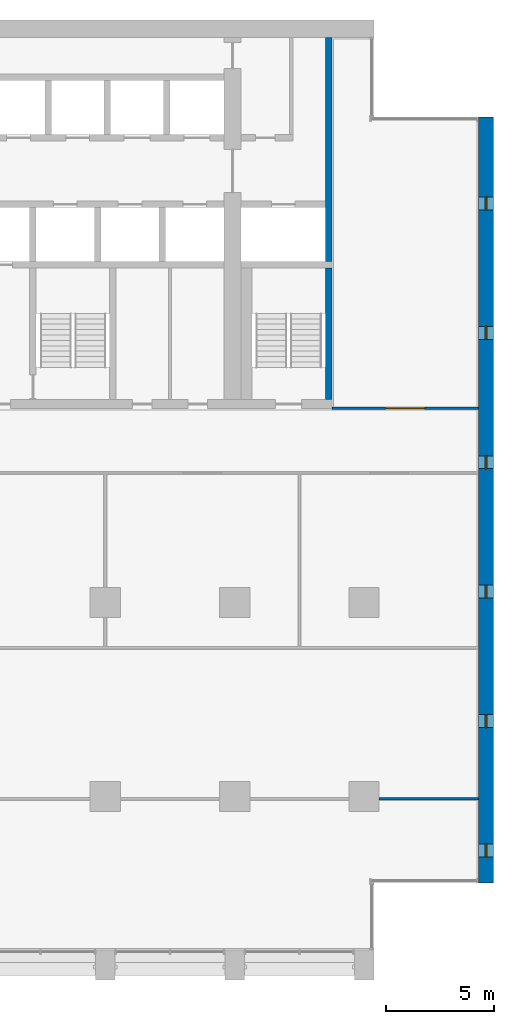
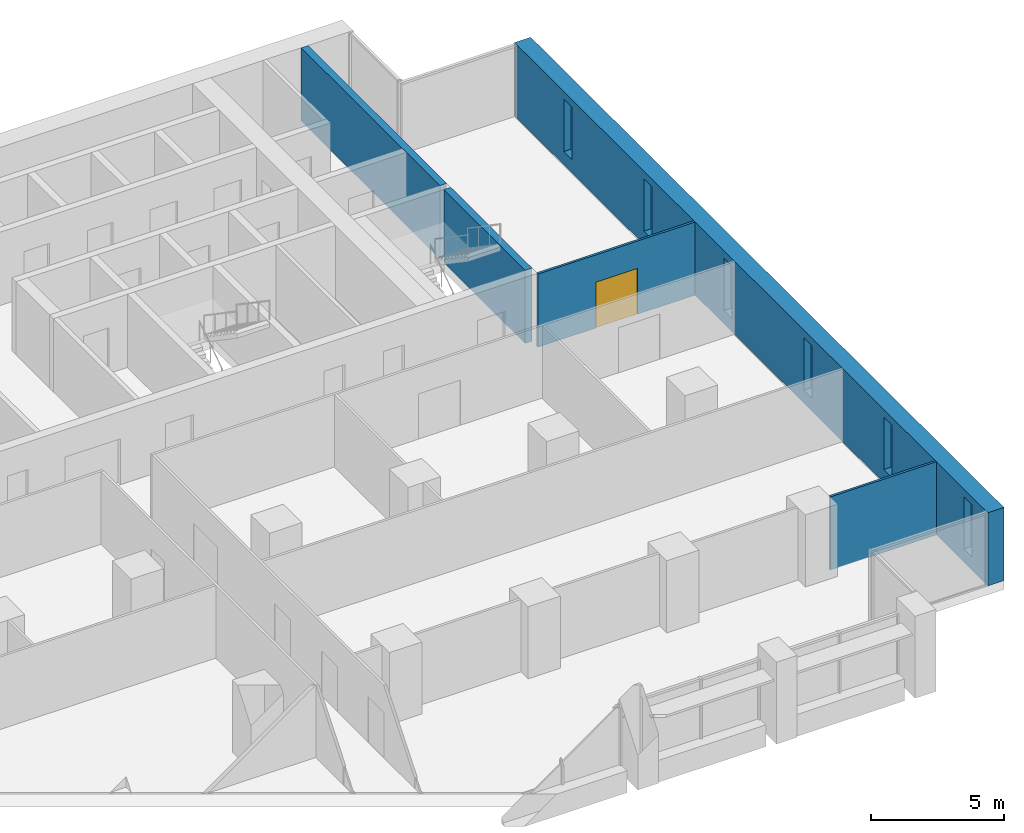
# One storey, part 12 of 17: 6 windows, 5 walls, 1 door, 7 openings.
"""IFC4 building model written with IfcOpenShell, lengths in metres."""

import ifcopenshell
import ifcopenshell.guid

model = None  # the IFC model being written
_history = None  # IfcOwnerHistory: only IFC2X3 demands one
_inside = {}  # id of a spatial element -> (the spatial element, [elements in it])
_under = {}  # id of a project, library or spatial element -> (it, [spatial elements below it])
_declared = {}  # id of a project -> (the project, [libraries it declares])
_typed = {}  # id of a type object -> (the type object, [elements of that type])
_made_of = {}  # id of a material, layer set ... -> (it, [elements and type objects made of it])


def new_model(schema):
    """Start an empty IFC model of exactly this schema.

    Asked for "IFC4X3", IfcOpenShell would pick the latest addendum, in which some entities
    have other attributes; the version numbers below select the first issue.
    IFC2X3 requires an IfcOwnerHistory on every rooted entity: one is made here for all.
    """
    global model, _history
    if schema == "IFC4X3":
        model = ifcopenshell.file(schema_version=(4, 3, 0, 0))
    else:
        model = ifcopenshell.file(schema=schema)
    _inside.clear()
    _under.clear()
    _declared.clear()
    _typed.clear()
    _made_of.clear()
    _history = None
    if model.schema == "IFC2X3":
        org = make("IfcOrganization", Name="unknown")
        user = make(
            "IfcPersonAndOrganization",
            ThePerson=make("IfcPerson", FamilyName="unknown"),
            TheOrganization=org,
        )
        app = make(
            "IfcApplication",
            ApplicationDeveloper=org,
            Version="unknown",
            ApplicationFullName="unknown",
            ApplicationIdentifier="unknown",
        )
        _history = make(
            "IfcOwnerHistory",
            OwningUser=user,
            OwningApplication=app,
            ChangeAction="ADDED",
            CreationDate=0,
        )
    return model


def make(cls, **values):
    """One entity of the class cls with the attributes given. An attribute that is None is left unset."""
    return model.create_entity(
        cls, **{name: value for name, value in values.items() if value is not None}
    )


def rooted(cls, **values):
    """An entity with a GlobalId (a new one), such as an element, a storey or a relation."""
    return make(cls, GlobalId=ifcopenshell.guid.new(), OwnerHistory=_history, **values)


def si_unit(unit_type, name, prefix=None):
    """IfcSIUnit, for example si_unit("LENGTHUNIT", "METRE", prefix="MILLI")."""
    return make("IfcSIUnit", UnitType=unit_type, Prefix=prefix, Name=name)


def assignment(units):
    """IfcUnitAssignment: the units of a project."""
    return None if units is None else make("IfcUnitAssignment", Units=units)


def point(xyz):
    """IfcCartesianPoint."""
    return None if xyz is None else make("IfcCartesianPoint", Coordinates=xyz)


def direction(xyz):
    """IfcDirection."""
    return None if xyz is None else make("IfcDirection", DirectionRatios=xyz)


def frame(location, z_axis=None, x_axis=None):
    """IfcAxis2Placement3D, a coordinate frame: its origin and axes. An axis left out is left unset."""
    return make(
        "IfcAxis2Placement3D",
        Location=point(location),
        Axis=direction(z_axis),
        RefDirection=direction(x_axis),
    )


def frame_2d(location, x_axis=None):
    """IfcAxis2Placement2D, a coordinate frame in the plane: its origin and x axis."""
    return make(
        "IfcAxis2Placement2D", Location=point(location), RefDirection=direction(x_axis)
    )


def origin():
    """The frame at (0, 0, 0) with its axes left unset."""
    return frame((0.0, 0.0, 0.0))


def place(relative_to, where):
    """IfcLocalPlacement: puts the frame where relative to a parent placement (None: the world)."""
    return make(
        "IfcLocalPlacement", PlacementRelTo=relative_to, RelativePlacement=where
    )


def context(
    kind, dimensions, precision=None, world=None, true_north=None, identifier=None
):
    """IfcGeometricRepresentationContext, for example the 3D "Model" context."""
    return make(
        "IfcGeometricRepresentationContext",
        ContextIdentifier=identifier,
        ContextType=kind,
        CoordinateSpaceDimension=dimensions,
        Precision=precision,
        WorldCoordinateSystem=world,
        TrueNorth=true_north,
    )


def subcontext(parent, identifier, kind, view, scale=None):
    """IfcGeometricRepresentationSubContext, for example "Body" below "Model"."""
    return make(
        "IfcGeometricRepresentationSubContext",
        ContextIdentifier=identifier,
        ContextType=kind,
        ParentContext=parent,
        TargetScale=scale,
        TargetView=view,
    )


def project(units=None, contexts=None):
    """IfcProject with its units and contexts."""
    return rooted(
        "IfcProject",
        Name="project",
        RepresentationContexts=contexts,
        UnitsInContext=assignment(units),
    )


def spatial(cls, under=None, at=None, **own):
    """A site, building, storey or space (cls), placed at a placement, below another one or the project."""
    s = rooted(cls, ObjectPlacement=at, **own)
    if under is not None:
        _under.setdefault(under.id(), (under, []))[1].append(s)
    return s


def profile(cls, at=None, kind="AREA", **sizes):
    """A parametric profile (cls). Its sizes go by their IFC names, for example OverallWidth=200.0."""
    return make(cls, ProfileType=kind, Position=at, **sizes)


def rectangle(**sizes):
    """IfcRectangleProfileDef."""
    return profile("IfcRectangleProfileDef", **sizes)


def extrude(swept, where, along, depth):
    """IfcExtrudedAreaSolid: the profile swept, set in the frame where, extruded along a direction by depth."""
    return make(
        "IfcExtrudedAreaSolid",
        SweptArea=swept,
        Position=where,
        ExtrudedDirection=direction(along),
        Depth=depth,
    )


def shape(context_of_items, identifier, shape_type, items):
    """IfcShapeRepresentation: the items that make up one representation, for example the "Body"."""
    return make(
        "IfcShapeRepresentation",
        ContextOfItems=context_of_items,
        RepresentationIdentifier=identifier,
        RepresentationType=shape_type,
        Items=items,
    )


def material(Name=None, Category=None):
    """IfcMaterial."""
    return make("IfcMaterial", Name=Name, Category=Category)


def layer(
    of_material, thickness, ventilated=None, Name=None, Category=None, Priority=None
):
    """IfcMaterialLayer: one layer of a wall or slab, of a material (None: an air gap)."""
    return make(
        "IfcMaterialLayer",
        Material=of_material,
        LayerThickness=thickness,
        IsVentilated=ventilated,
        Name=Name,
        Category=Category,
        Priority=Priority,
    )


def layer_set(layers, Name=None):
    """IfcMaterialLayerSet."""
    return make("IfcMaterialLayerSet", MaterialLayers=layers, LayerSetName=Name)


def made_of(thing, what):
    """Note that an element or type object is made of a material, layer set ...; save() writes the relation."""
    if what is not None:
        _made_of.setdefault(what.id(), (what, []))[1].append(thing)
    return thing


def type_object(cls, material=None, **own):
    """A type object (cls), such as IfcWallType, which elements share."""
    return made_of(rooted(cls, **own), material)


def element(
    cls,
    number,
    at=None,
    inside=None,
    cuts=None,
    type_object=None,
    material=None,
    context=None,
    identifier="Body",
    shape_type=None,
    held_by="IfcProductDefinitionShape",
    body=None,
    shapes=None,
    **own,
):
    """One element of the class cls, such as IfcWall. Its Tag is "e" and its number.

    at: its placement. inside: the storey or other place that contains it. cuts: it is an
    opening in that element (IfcRelVoidsElement). A single representation is given by context,
    identifier, shape_type and body (its items); several are given by shapes. held_by: the class
    of the entity that holds the representations. save() writes the other relations.
    """
    e = rooted(cls, Tag="e%d" % number, ObjectPlacement=at, **own)
    if body is not None:
        shapes = [shape(context, identifier, shape_type, body)]
    if shapes is not None:
        e.Representation = make(held_by, Representations=shapes)
    if inside is not None:
        _inside.setdefault(inside.id(), (inside, []))[1].append(e)
    if cuts is not None:
        rooted(
            "IfcRelVoidsElement", RelatingBuildingElement=cuts, RelatedOpeningElement=e
        )
    if type_object is not None:
        _typed.setdefault(type_object.id(), (type_object, []))[1].append(e)
    return made_of(e, material)


def fill(opening, filler):
    """IfcRelFillsElement: the door or window that sits in an opening."""
    return rooted(
        "IfcRelFillsElement",
        RelatingOpeningElement=opening,
        RelatedBuildingElement=filler,
    )


def aggregate(whole, parts):
    """IfcRelAggregates: a whole, such as a stair, and the parts it consists of."""
    return rooted("IfcRelAggregates", RelatingObject=whole, RelatedObjects=parts)


def save(model, path):
    """Write the relations noted so far, then the file.

    IfcRelAggregates (storeys below a building ...), IfcRelContainedInSpatialStructure (elements
    in a storey), IfcRelDefinesByType, IfcRelAssociatesMaterial and IfcRelDeclares: one each for
    every whole, place, type object, material and project.
    """
    for whole, parts in _under.values():
        aggregate(whole, parts)
    for where, things in _inside.values():
        rooted(
            "IfcRelContainedInSpatialStructure",
            RelatedElements=things,
            RelatingStructure=where,
        )
    for kind, things in _typed.values():
        rooted("IfcRelDefinesByType", RelatedObjects=things, RelatingType=kind)
    for what, things in _made_of.values():
        rooted("IfcRelAssociatesMaterial", RelatedObjects=things, RelatingMaterial=what)
    for by, libraries in _declared.values():
        rooted("IfcRelDeclares", RelatingContext=by, RelatedDefinitions=libraries)
    model.write(path)


model = new_model("IFC4")

# Units and contexts
model_context = context("Model", 3, precision=1e-05, world=origin(), true_north=direction((0.0, 1.0)))
body_context = subcontext(model_context, "Body", "Model", "MODEL_VIEW")
ifc_project = project(units=[si_unit("LENGTHUNIT", "METRE"), si_unit("AREAUNIT", "SQUARE_METRE"), si_unit("VOLUMEUNIT", "CUBIC_METRE"), si_unit("PLANEANGLEUNIT", "RADIAN"), si_unit("MASSUNIT", "GRAM", prefix="KILO")], contexts=[model_context])

# Site, building, storey
site_placement = place(None, origin())
site = spatial("IfcSite", under=ifc_project, at=site_placement, CompositionType="ELEMENT")
building_placement = place(site_placement, origin())
building = spatial("IfcBuilding", under=site, at=building_placement, Name="Calvaro Tower", CompositionType="ELEMENT")
storey_placement = place(building_placement, frame((0.0, 0.0, 102.5)))
storey = spatial("IfcBuildingStorey", under=building, at=storey_placement, Name="L25", CompositionType="ELEMENT", Elevation=102.5)

# Walls
ifc_material_1 = material(Name="Concrete C60/75", Category="concrete")
ifc_layer_1 = layer(ifc_material_1, 0.300048828125)
ifc_layer_set_1 = layer_set([ifc_layer_1], Name="Concrete C60/75")
wall_type_1 = type_object("IfcWallType", Name="Core wall C60/75 300", PredefinedType="SHEAR", material=ifc_layer_set_1)
wall_1_placement = place(storey_placement, frame((64.35009765625, 34.800048828125, 0.0), z_axis=(0.0, 0.0, 1.0), x_axis=(0.0, 1.0, 0.0)))
element("IfcWall", 1, at=wall_1_placement, inside=storey, type_object=wall_type_1, Name="Core wall, boundary", PredefinedType="SHEAR", context=body_context, shape_type="SweptSolid", body=[
    extrude(rectangle(XDim=10.39990234375, YDim=0.300048828125, at=frame_2d((5.199951171875, 0.0))), origin(), (0.0, 0.0, 1.0), 3.35009765625),
])
wall_2_placement = place(storey_placement, frame((64.35009765625, 28.39990234375, 0.0), z_axis=(0.0, 0.0, 1.0), x_axis=(0.0, 1.0, 0.0)))
element("IfcWall", 2, at=wall_2_placement, inside=storey, type_object=wall_type_1, Name="Core wall, stair enclosure", PredefinedType="SHEAR", context=body_context, shape_type="SweptSolid", body=[
    extrude(rectangle(XDim=6.10009765625, YDim=0.300048828125, at=frame_2d((3.050048828125, 0.0))), origin(), (0.0, 0.0, 1.0), 3.35009765625),
])

# Wall, openings, windows
ifc_material_2 = material(Name="Concrete C60/75", Category="concrete")
ifc_layer_2 = layer(ifc_material_2, 0.699951171875)
ifc_layer_set_2 = layer_set([ifc_layer_2], Name="Concrete C60/75")
wall_type_2 = type_object("IfcWallType", Name="End wall 700 C60/75", PredefinedType="SHEAR", material=ifc_layer_set_2)
wall_3_placement = place(storey_placement, frame((71.64990234375, 6.0, 0.0), z_axis=(0.0, 0.0, 1.0), x_axis=(0.0, 1.0, 0.0)))
wall_3 = element("IfcWall", 3, at=wall_3_placement, inside=storey, type_object=wall_type_2, Name="End shear wall", PredefinedType="SHEAR", context=body_context, shape_type="SweptSolid", body=[
    extrude(rectangle(XDim=35.5, YDim=0.699951171875, at=frame_2d((17.75, 0.0))), origin(), (0.0, 0.0, 1.0), 3.35009765625),
])
opening_1_placement = place(wall_3_placement, frame((1.199951171875, 0.0, 0.60009765625)))
opening_1 = element("IfcOpeningElement", 4, at=opening_1_placement, cuts=wall_3, Name="Opening WE01", PredefinedType="OPENING", context=body_context, shape_type="SweptSolid", body=[
    extrude(rectangle(XDim=0.60009765625, YDim=2.39990234375, at=frame_2d((0.300048828125, 1.199951171875))), frame((0.0, 0.35986328125, 0.0), z_axis=(0.0, -1.0, 0.0), x_axis=(1.0, 0.0, 0.0)), (0.0, 0.0, 1.0), 0.719970703125),
])
opening_2_placement = place(wall_3_placement, frame((7.199951171875, 0.0, 0.60009765625)))
opening_2 = element("IfcOpeningElement", 5, at=opening_2_placement, cuts=wall_3, Name="Opening WE02", PredefinedType="OPENING", context=body_context, shape_type="SweptSolid", body=[
    extrude(rectangle(XDim=0.60009765625, YDim=2.39990234375, at=frame_2d((0.300048828125, 1.199951171875))), frame((0.0, 0.35986328125, 0.0), z_axis=(0.0, -1.0, 0.0), x_axis=(1.0, 0.0, 0.0)), (0.0, 0.0, 1.0), 0.719970703125),
])
opening_3_placement = place(wall_3_placement, frame((13.199951171875, 0.0, 0.60009765625)))
opening_3 = element("IfcOpeningElement", 6, at=opening_3_placement, cuts=wall_3, Name="Opening WE03", PredefinedType="OPENING", context=body_context, shape_type="SweptSolid", body=[
    extrude(rectangle(XDim=0.60009765625, YDim=2.39990234375, at=frame_2d((0.300048828125, 1.199951171875))), frame((0.0, 0.35986328125, 0.0), z_axis=(0.0, -1.0, 0.0), x_axis=(1.0, 0.0, 0.0)), (0.0, 0.0, 1.0), 0.719970703125),
])
opening_4_placement = place(wall_3_placement, frame((19.199951171875, 0.0, 0.60009765625)))
opening_4 = element("IfcOpeningElement", 7, at=opening_4_placement, cuts=wall_3, Name="Opening WE04", PredefinedType="OPENING", context=body_context, shape_type="SweptSolid", body=[
    extrude(rectangle(XDim=0.60009765625, YDim=2.39990234375, at=frame_2d((0.300048828125, 1.199951171875))), frame((0.0, 0.35986328125, 0.0), z_axis=(0.0, -1.0, 0.0), x_axis=(1.0, 0.0, 0.0)), (0.0, 0.0, 1.0), 0.719970703125),
])
opening_5_placement = place(wall_3_placement, frame((25.199951171875, 0.0, 0.60009765625)))
opening_5 = element("IfcOpeningElement", 8, at=opening_5_placement, cuts=wall_3, Name="Opening WE05", PredefinedType="OPENING", context=body_context, shape_type="SweptSolid", body=[
    extrude(rectangle(XDim=0.60009765625, YDim=2.39990234375, at=frame_2d((0.300048828125, 1.199951171875))), frame((0.0, 0.35986328125, 0.0), z_axis=(0.0, -1.0, 0.0), x_axis=(1.0, 0.0, 0.0)), (0.0, 0.0, 1.0), 0.719970703125),
])
opening_6_placement = place(wall_3_placement, frame((31.199951171875, 0.0, 0.60009765625)))
opening_6 = element("IfcOpeningElement", 9, at=opening_6_placement, cuts=wall_3, Name="Opening WE06", PredefinedType="OPENING", context=body_context, shape_type="SweptSolid", body=[
    extrude(rectangle(XDim=0.60009765625, YDim=2.39990234375, at=frame_2d((0.300048828125, 1.199951171875))), frame((0.0, 0.35986328125, 0.0), z_axis=(0.0, -1.0, 0.0), x_axis=(1.0, 0.0, 0.0)), (0.0, 0.0, 1.0), 0.719970703125),
])
ifc_material_3 = material(Name="Glass", Category="glass")
window_type = type_object("IfcWindowType", Name="Slit window 600 x 2400", PartitioningType="SINGLE_PANEL", PredefinedType="WINDOW", material=ifc_material_3)
window_1_placement = place(opening_1_placement, origin())
window_1 = element("IfcWindow", 10, at=window_1_placement, inside=storey, type_object=window_type, Name="Window WE01", OverallHeight=2.39990234375, OverallWidth=0.60009765625, PartitioningType="SINGLE_PANEL", PredefinedType="WINDOW", context=body_context, shape_type="SweptSolid", body=[
    extrude(rectangle(XDim=0.60009765625, YDim=2.39990234375, at=frame_2d((0.300048828125, 1.199951171875))), frame((0.0, 0.030029296875, 0.0), z_axis=(0.0, -1.0, 0.0), x_axis=(1.0, 0.0, 0.0)), (0.0, 0.0, 1.0), 0.06005859375),
])
fill(opening_1, window_1)
window_2_placement = place(opening_2_placement, origin())
window_2 = element("IfcWindow", 11, at=window_2_placement, inside=storey, type_object=window_type, Name="Window WE02", OverallHeight=2.39990234375, OverallWidth=0.60009765625, PartitioningType="SINGLE_PANEL", PredefinedType="WINDOW", context=body_context, shape_type="SweptSolid", body=[
    extrude(rectangle(XDim=0.60009765625, YDim=2.39990234375, at=frame_2d((0.300048828125, 1.199951171875))), frame((0.0, 0.030029296875, 0.0), z_axis=(0.0, -1.0, 0.0), x_axis=(1.0, 0.0, 0.0)), (0.0, 0.0, 1.0), 0.06005859375),
])
fill(opening_2, window_2)
window_3_placement = place(opening_3_placement, origin())
window_3 = element("IfcWindow", 12, at=window_3_placement, inside=storey, type_object=window_type, Name="Window WE03", OverallHeight=2.39990234375, OverallWidth=0.60009765625, PartitioningType="SINGLE_PANEL", PredefinedType="WINDOW", context=body_context, shape_type="SweptSolid", body=[
    extrude(rectangle(XDim=0.60009765625, YDim=2.39990234375, at=frame_2d((0.300048828125, 1.199951171875))), frame((0.0, 0.030029296875, 0.0), z_axis=(0.0, -1.0, 0.0), x_axis=(1.0, 0.0, 0.0)), (0.0, 0.0, 1.0), 0.06005859375),
])
fill(opening_3, window_3)
window_4_placement = place(opening_4_placement, origin())
window_4 = element("IfcWindow", 13, at=window_4_placement, inside=storey, type_object=window_type, Name="Window WE04", OverallHeight=2.39990234375, OverallWidth=0.60009765625, PartitioningType="SINGLE_PANEL", PredefinedType="WINDOW", context=body_context, shape_type="SweptSolid", body=[
    extrude(rectangle(XDim=0.60009765625, YDim=2.39990234375, at=frame_2d((0.300048828125, 1.199951171875))), frame((0.0, 0.030029296875, 0.0), z_axis=(0.0, -1.0, 0.0), x_axis=(1.0, 0.0, 0.0)), (0.0, 0.0, 1.0), 0.06005859375),
])
fill(opening_4, window_4)
window_5_placement = place(opening_5_placement, origin())
window_5 = element("IfcWindow", 14, at=window_5_placement, inside=storey, type_object=window_type, Name="Window WE05", OverallHeight=2.39990234375, OverallWidth=0.60009765625, PartitioningType="SINGLE_PANEL", PredefinedType="WINDOW", context=body_context, shape_type="SweptSolid", body=[
    extrude(rectangle(XDim=0.60009765625, YDim=2.39990234375, at=frame_2d((0.300048828125, 1.199951171875))), frame((0.0, 0.030029296875, 0.0), z_axis=(0.0, -1.0, 0.0), x_axis=(1.0, 0.0, 0.0)), (0.0, 0.0, 1.0), 0.06005859375),
])
fill(opening_5, window_5)
window_6_placement = place(opening_6_placement, origin())
window_6 = element("IfcWindow", 15, at=window_6_placement, inside=storey, type_object=window_type, Name="Window WE06", OverallHeight=2.39990234375, OverallWidth=0.60009765625, PartitioningType="SINGLE_PANEL", PredefinedType="WINDOW", context=body_context, shape_type="SweptSolid", body=[
    extrude(rectangle(XDim=0.60009765625, YDim=2.39990234375, at=frame_2d((0.300048828125, 1.199951171875))), frame((0.0, 0.030029296875, 0.0), z_axis=(0.0, -1.0, 0.0), x_axis=(1.0, 0.0, 0.0)), (0.0, 0.0, 1.0), 0.06005859375),
])
fill(opening_6, window_6)

# Wall
ifc_material_4 = material(Name="Plasterboard on steel studs", Category="steel")
ifc_layer_3 = layer(ifc_material_4, 0.10009765625)
ifc_layer_set_3 = layer_set([ifc_layer_3], Name="Plasterboard on steel studs")
wall_type_3 = type_object("IfcWallType", Name="Partition 100", PredefinedType="PARTITIONING", material=ifc_layer_set_3)
wall_4_placement = place(storey_placement, frame((66.699951171875, 9.89990234375, 0.0), z_axis=(0.0, 0.0, 1.0), x_axis=(1.0, 0.0, 0.0)))
element("IfcWall", 16, at=wall_4_placement, inside=storey, type_object=wall_type_3, Name="Partition T16.W003", PredefinedType="PARTITIONING", context=body_context, shape_type="SweptSolid", body=[
    extrude(rectangle(XDim=4.60009765625, YDim=0.10009765625, at=frame_2d((2.300048828125, 0.0))), origin(), (0.0, 0.0, 1.0), 3.35009765625),
])

# Wall, opening, door
wall_5_placement = place(storey_placement, frame((64.5, 28.0, 0.0), z_axis=(0.0, 0.0, 1.0), x_axis=(1.0, 0.0, 0.0)))
wall_5 = element("IfcWall", 17, at=wall_5_placement, inside=storey, type_object=wall_type_3, Name="Partition T16.W015", PredefinedType="PARTITIONING", context=body_context, shape_type="SweptSolid", body=[
    extrude(rectangle(XDim=6.800048828125, YDim=0.10009765625, at=frame_2d((3.39990234375, 0.0))), origin(), (0.0, 0.0, 1.0), 3.35009765625),
])
opening_7_placement = place(wall_5_placement, frame((2.5, 0.0, 0.0)))
opening_7 = element("IfcOpeningElement", 18, at=opening_7_placement, cuts=wall_5, Name="Opening T16.020", PredefinedType="OPENING", context=body_context, shape_type="SweptSolid", body=[
    extrude(rectangle(XDim=1.800048828125, YDim=2.10009765625, at=frame_2d((0.89990234375, 1.050048828125))), frame((0.0, 0.06005859375, 0.0), z_axis=(0.0, -1.0, 0.0), x_axis=(1.0, 0.0, 0.0)), (0.0, 0.0, 1.0), 0.1201171875),
])
ifc_material_5 = material(Name="Timber", Category="wood")
door_type = type_object("IfcDoorType", Name="Internal double door 1800 x 2100", OperationType="DOUBLE_DOOR_SINGLE_SWING", PredefinedType="DOOR", material=ifc_material_5)
door_placement = place(opening_7_placement, origin())
door = element("IfcDoor", 19, at=door_placement, inside=storey, type_object=door_type, Name="Door T16.020", OperationType="DOUBLE_DOOR_SINGLE_SWING", OverallHeight=2.10009765625, OverallWidth=1.800048828125, PredefinedType="DOOR", context=body_context, shape_type="SweptSolid", body=[
    extrude(rectangle(XDim=1.800048828125, YDim=2.10009765625, at=frame_2d((0.89990234375, 1.050048828125))), frame((0.0, 0.02490234375, 0.0), z_axis=(0.0, -1.0, 0.0), x_axis=(1.0, 0.0, 0.0)), (0.0, 0.0, 1.0), 0.050048828125),
])
fill(opening_7, door)

save(model, "model.ifc")
